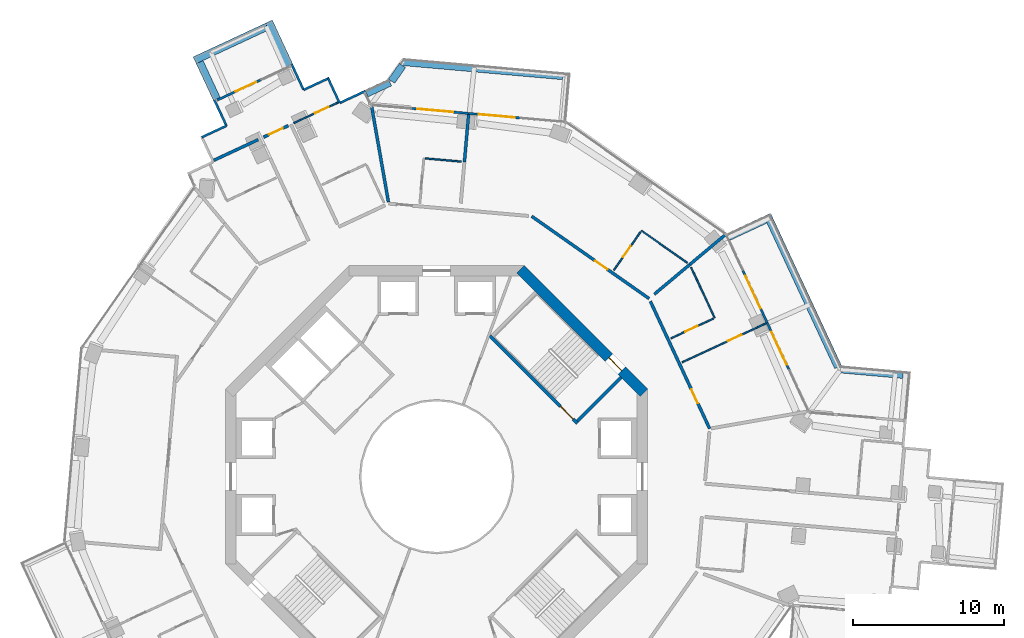
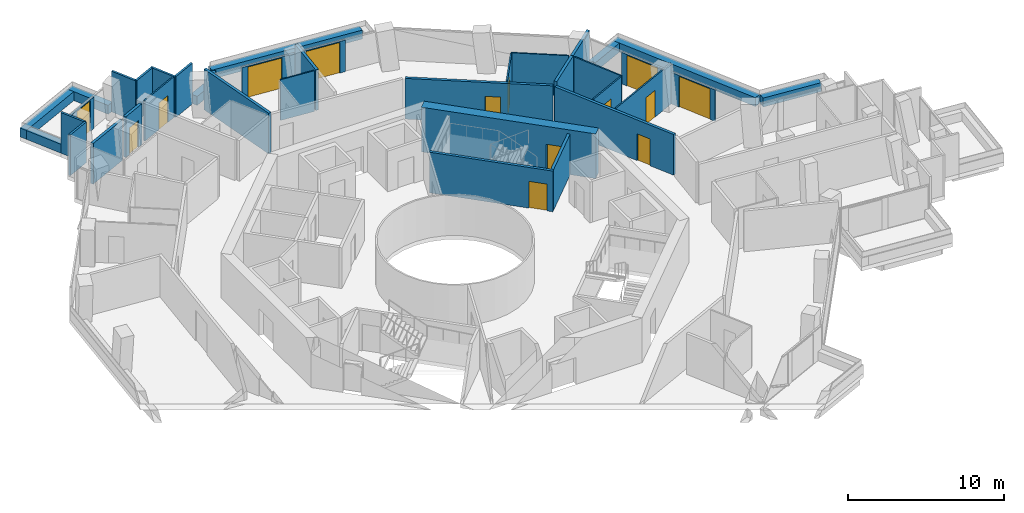
# One storey, part 19 of 23: 38 walls, 14 doors, 14 openings.
"""IFC4 building model written with IfcOpenShell, lengths in metres."""

from ifc_helpers import new_model, si_unit, direction, frame, frame_2d, origin, place, context, subcontext, project, spatial, rectangle, extrude, material, layer, layer_set, type_object, element, fill, save


model = new_model("IFC4")

# Units and contexts
model_context = context("Model", 3, precision=1e-05, world=origin(), true_north=direction((0.0, 1.0)))
body_context = subcontext(model_context, "Body", "Model", "MODEL_VIEW")
ifc_project = project(units=[si_unit("LENGTHUNIT", "METRE"), si_unit("AREAUNIT", "SQUARE_METRE"), si_unit("VOLUMEUNIT", "CUBIC_METRE"), si_unit("PLANEANGLEUNIT", "RADIAN"), si_unit("MASSUNIT", "GRAM", prefix="KILO")], contexts=[model_context])

# Site, building, storey
site_placement = place(None, origin())
site = spatial("IfcSite", under=ifc_project, at=site_placement, CompositionType="ELEMENT")
building_placement = place(site_placement, origin())
building = spatial("IfcBuilding", under=site, at=building_placement, Name="Verdalira Terraces Hotel", CompositionType="ELEMENT")
storey_placement = place(building_placement, frame((0.0, 0.0, 136.5)))
storey = spatial("IfcBuildingStorey", under=building, at=storey_placement, Name="L32", CompositionType="ELEMENT", Elevation=136.5)

# Walls
ifc_material_1 = material(Name="Concrete C40", Category="concrete")
ifc_layer_1 = layer(ifc_material_1, 0.5)
ifc_layer_set_1 = layer_set([ifc_layer_1], Name="Balcony planter trough with tree")
wall_type_1 = type_object("IfcWallType", Name="Balcony planter trough with tree", PredefinedType="SOLIDWALL", material=ifc_layer_set_1)
wall_1_placement = place(storey_placement, frame((-9.775635, 27.282227, 0.0), z_axis=(0.0, 0.0, 1.0), x_axis=(-0.42203715, 0.906578537, 0.0)))
element("IfcWall", 1, at=wall_1_placement, inside=storey, type_object=wall_type_1, Name="Balcony planter", PredefinedType="SOLIDWALL", context=body_context, shape_type="SweptSolid", body=[
    extrude(rectangle(XDim=3.198975, YDim=0.5, at=frame_2d((1.599609, 0.0))), origin(), (0.0, 0.0, 1.0), 0.699951),
])
wall_2_placement = place(storey_placement, frame((-11.246826, 29.850342, 0.0), z_axis=(0.0, 0.0, 1.0), x_axis=(-0.90659695, -0.421997595, 0.0)))
element("IfcWall", 2, at=wall_2_placement, inside=storey, type_object=wall_type_1, Name="Balcony planter", PredefinedType="SOLIDWALL", context=body_context, shape_type="SweptSolid", body=[
    extrude(rectangle(XDim=5.300049, YDim=0.5, at=frame_2d((2.649902, 0.0))), origin(), (0.0, 0.0, 1.0), 0.699951),
])
wall_3_placement = place(storey_placement, frame((-15.719727, 27.492676, 0.0), z_axis=(0.0, 0.0, 1.0), x_axis=(0.421964209, -0.90661249, 0.0)))
element("IfcWall", 3, at=wall_3_placement, inside=storey, type_object=wall_type_1, Name="Balcony planter", PredefinedType="SOLIDWALL", context=body_context, shape_type="SweptSolid", body=[
    extrude(rectangle(XDim=2.698975, YDim=0.5, at=frame_2d((1.349609, 0.0))), origin(), (0.0, 0.0, 1.0), 0.699951),
])
wall_4_placement = place(storey_placement, frame((30.935303, 6.758545, 0.0), z_axis=(0.0, 0.0, 1.0), x_axis=(-0.996134126, 0.08784534, 0.0)))
element("IfcWall", 4, at=wall_4_placement, inside=storey, type_object=wall_type_1, Name="Balcony planter", PredefinedType="SOLIDWALL", context=body_context, shape_type="SweptSolid", body=[
    extrude(rectangle(XDim=4.115967, YDim=0.5, at=frame_2d((2.058105, 0.0))), origin(), (0.0, 0.0, 1.0), 0.699951),
])
wall_5_placement = place(storey_placement, frame((26.630371, 7.263672, 0.0), z_axis=(0.0, 0.0, 1.0), x_axis=(-0.421976843, 0.906606609, 0.0)))
element("IfcWall", 5, at=wall_5_placement, inside=storey, type_object=wall_type_1, Name="Balcony planter", PredefinedType="SOLIDWALL", context=body_context, shape_type="SweptSolid", body=[
    extrude(rectangle(XDim=11.152344, YDim=0.5, at=frame_2d((5.576172, 0.0))), origin(), (0.0, 0.0, 1.0), 0.699951),
])
wall_6_placement = place(storey_placement, frame((21.802979, 17.042236, 0.0), z_axis=(0.0, 0.0, 1.0), x_axis=(-0.906596382, -0.421998815, 0.0)))
element("IfcWall", 6, at=wall_6_placement, inside=storey, type_object=wall_type_1, Name="Balcony planter", PredefinedType="SOLIDWALL", context=body_context, shape_type="SweptSolid", body=[
    extrude(rectangle(XDim=2.698975, YDim=0.5, at=frame_2d((1.349609, 0.0))), origin(), (0.0, 0.0, 1.0), 0.699951),
])
wall_7_placement = place(storey_placement, frame((8.367188, 26.575928, 0.0), z_axis=(0.0, 0.0, 1.0), x_axis=(-0.996131974, 0.087869731, 0.0)))
element("IfcWall", 7, at=wall_7_placement, inside=storey, type_object=wall_type_1, Name="Balcony planter", PredefinedType="SOLIDWALL", context=body_context, shape_type="SweptSolid", body=[
    extrude(rectangle(XDim=10.652588, YDim=0.5, at=frame_2d((5.326172, 0.0))), origin(), (0.0, 0.0, 1.0), 0.699951),
])
wall_8_placement = place(storey_placement, frame((-2.266113, 27.262939, 0.0), z_axis=(0.0, 0.0, 1.0), x_axis=(-0.574098281, -0.818786397, 0.0)))
element("IfcWall", 8, at=wall_8_placement, inside=storey, type_object=wall_type_1, Name="Balcony planter", PredefinedType="SOLIDWALL", context=body_context, shape_type="SweptSolid", body=[
    extrude(rectangle(XDim=1.262207, YDim=0.5, at=frame_2d((0.631104, 0.0))), origin(), (0.0, 0.0, 1.0), 0.699951),
])
wall_9_placement = place(storey_placement, frame((-3.089844, 26.146484, 0.0), z_axis=(0.0, 0.0, 1.0), x_axis=(-0.906625779, -0.421935656, 0.0)))
element("IfcWall", 9, at=wall_9_placement, inside=storey, type_object=wall_type_1, Name="Balcony planter", PredefinedType="SOLIDWALL", context=body_context, shape_type="SweptSolid", body=[
    extrude(rectangle(XDim=1.731201, YDim=0.5, at=frame_2d((0.865723, 0.0))), origin(), (0.0, 0.0, 1.0), 0.699951),
])

# Wall, opening, door
ifc_material_2 = material(Name="Moisture-resistant gypsum board partition")
ifc_layer_2 = layer(ifc_material_2, 0.10009765625)
ifc_layer_set_2 = layer_set([ifc_layer_2], Name="Bathroom partition 100 mm")
wall_type_2 = type_object("IfcWallType", Name="Bathroom partition 100 mm", PredefinedType="PARTITIONING", material=ifc_layer_set_2)
wall_10_placement = place(storey_placement, frame((-6.531738, 24.820068, 0.0), z_axis=(0.0, 0.0, 1.0), x_axis=(-0.906598898, -0.421993409, 0.0)))
wall_10 = element("IfcWall", 10, at=wall_10_placement, inside=storey, type_object=wall_type_2, Name="Bathroom partition", PredefinedType="PARTITIONING", context=body_context, shape_type="SweptSolid", body=[
    extrude(rectangle(XDim=3.251953, YDim=0.100098, at=frame_2d((1.625977, 0.0))), origin(), (0.0, 0.0, 1.0), 3.189941),
])
opening_1_placement = place(wall_10_placement, frame((0.699951, 0.0, 0.0)))
opening_1 = element("IfcOpeningElement", 11, at=opening_1_placement, cuts=wall_10, Name="Opening L32-102", PredefinedType="OPENING", context=body_context, shape_type="SweptSolid", body=[
    extrude(rectangle(XDim=1.0, YDim=2.100098, at=frame_2d((0.5, 1.050049))), frame((0.0, 0.060059, 0.0), z_axis=(0.0, -1.0, 0.0), x_axis=(1.0, 0.0, 0.0)), (0.0, 0.0, 1.0), 0.120117),
])
ifc_material_3 = material(Name="Timber door", Category="wood")
door_type_1 = type_object("IfcDoorType", Name="Suite internal door 1000 x 2100", OperationType="NOTDEFINED", PredefinedType="DOOR", material=ifc_material_3)
door_1_placement = place(opening_1_placement, origin())
door_1 = element("IfcDoor", 12, at=door_1_placement, inside=storey, type_object=door_type_1, Name="Suite internal door 3201", OperationType="SINGLE_SWING_LEFT", OverallHeight=2.10009765625, OverallWidth=1.0, PredefinedType="DOOR", context=body_context, shape_type="SweptSolid", body=[
    extrude(rectangle(XDim=1.0, YDim=2.100098, at=frame_2d((0.5, 1.050049))), frame((0.0, 0.024902, 0.0), z_axis=(0.0, -1.0, 0.0), x_axis=(1.0, 0.0, 0.0)), (0.0, 0.0, 1.0), 0.050049),
])
fill(opening_1, door_1)

# Wall
wall_11_placement = place(storey_placement, frame((-0.748779, 21.105713, 0.0), z_axis=(0.0, 0.0, 1.0), x_axis=(0.996139536, -0.08778397, 0.0)))
element("IfcWall", 13, at=wall_11_placement, inside=storey, type_object=wall_type_2, Name="Bathroom partition", PredefinedType="PARTITIONING", context=body_context, shape_type="SweptSolid", body=[
    extrude(rectangle(XDim=2.400146, YDim=0.100098, at=frame_2d((1.200195, 0.0))), origin(), (0.0, 0.0, 1.0), 3.189941),
])

# Wall, opening, door
wall_12_placement = place(storey_placement, frame((13.530273, 16.231934, 0.0), z_axis=(0.0, 0.0, 1.0), x_axis=(-0.574138719, -0.818758042, 0.0)))
wall_12 = element("IfcWall", 14, at=wall_12_placement, inside=storey, type_object=wall_type_2, Name="Bathroom partition", PredefinedType="PARTITIONING", context=body_context, shape_type="SweptSolid", body=[
    extrude(rectangle(XDim=3.099854, YDim=0.100098, at=frame_2d((1.549805, 0.0))), origin(), (0.0, 0.0, 1.0), 3.189941),
])
opening_2_placement = place(wall_12_placement, frame((1.149902, 0.0, 0.0)))
opening_2 = element("IfcOpeningElement", 15, at=opening_2_placement, cuts=wall_12, Name="Opening L32-130", PredefinedType="OPENING", context=body_context, shape_type="SweptSolid", body=[
    extrude(rectangle(XDim=0.899902, YDim=2.100098, at=frame_2d((0.449951, 1.050049))), frame((0.0, 0.060059, 0.0), z_axis=(0.0, -1.0, 0.0), x_axis=(1.0, 0.0, 0.0)), (0.0, 0.0, 1.0), 0.120117),
])
ifc_material_4 = material(Name="Timber door", Category="wood")
door_type_2 = type_object("IfcDoorType", Name="Bathroom door 900 x 2100", OperationType="NOTDEFINED", PredefinedType="DOOR", material=ifc_material_4)
door_2_placement = place(opening_2_placement, origin())
door_2 = element("IfcDoor", 16, at=door_2_placement, inside=storey, type_object=door_type_2, Name="Bathroom door 3211", OperationType="SINGLE_SWING_LEFT", OverallHeight=2.10009765625, OverallWidth=0.89990234375, PredefinedType="DOOR", context=body_context, shape_type="SweptSolid", body=[
    extrude(rectangle(XDim=0.899902, YDim=2.100098, at=frame_2d((0.449951, 1.050049))), frame((0.0, 0.024902, 0.0), z_axis=(0.0, -1.0, 0.0), x_axis=(1.0, 0.0, 0.0)), (0.0, 0.0, 1.0), 0.050049),
])
fill(opening_2, door_2)

# Wall
wall_13_placement = place(storey_placement, frame((13.587646, 16.313965, 0.0), z_axis=(0.0, 0.0, 1.0), x_axis=(0.818743323, -0.574159708, 0.0)))
element("IfcWall", 17, at=wall_13_placement, inside=storey, type_object=wall_type_2, Name="Bathroom partition", PredefinedType="PARTITIONING", context=body_context, shape_type="SweptSolid", body=[
    extrude(rectangle(XDim=3.711182, YDim=0.100098, at=frame_2d((1.855469, 0.0))), origin(), (0.0, 0.0, 1.0), 3.189941),
])

# Wall, opening, door
wall_14_placement = place(storey_placement, frame((15.539062, 9.172363, 0.0), z_axis=(0.0, 0.0, 1.0), x_axis=(0.906613229, 0.42196262, 0.0)))
wall_14 = element("IfcWall", 18, at=wall_14_placement, inside=storey, type_object=wall_type_2, Name="Bathroom partition", PredefinedType="PARTITIONING", context=body_context, shape_type="SweptSolid", body=[
    extrude(rectangle(XDim=3.100098, YDim=0.100098, at=frame_2d((1.550049, 0.0))), origin(), (0.0, 0.0, 1.0), 3.189941),
])
opening_3_placement = place(wall_14_placement, frame((1.050049, 0.0, 0.0)))
opening_3 = element("IfcOpeningElement", 19, at=opening_3_placement, cuts=wall_14, Name="Opening L32-128", PredefinedType="OPENING", context=body_context, shape_type="SweptSolid", body=[
    extrude(rectangle(XDim=0.899902, YDim=2.100098, at=frame_2d((0.449951, 1.050049))), frame((0.0, 0.060059, 0.0), z_axis=(0.0, -1.0, 0.0), x_axis=(1.0, 0.0, 0.0)), (0.0, 0.0, 1.0), 0.120117),
])
door_3_placement = place(opening_3_placement, origin())
door_3 = element("IfcDoor", 20, at=door_3_placement, inside=storey, type_object=door_type_2, Name="Bathroom door 3210", OperationType="SINGLE_SWING_RIGHT", OverallHeight=2.10009765625, OverallWidth=0.89990234375, PredefinedType="DOOR", context=body_context, shape_type="SweptSolid", body=[
    extrude(rectangle(XDim=0.899902, YDim=2.100098, at=frame_2d((0.449951, 1.050049))), frame((0.0, 0.024902, 0.0), z_axis=(0.0, -1.0, 0.0), x_axis=(1.0, 0.0, 0.0)), (0.0, 0.0, 1.0), 0.050049),
])
fill(opening_3, door_3)

# Wall
wall_15_placement = place(storey_placement, frame((18.440186, 10.522705, 0.0), z_axis=(0.0, 0.0, 1.0), x_axis=(-0.421990349, 0.906600323, 0.0)))
element("IfcWall", 21, at=wall_15_placement, inside=storey, type_object=wall_type_2, Name="Bathroom partition", PredefinedType="PARTITIONING", context=body_context, shape_type="SweptSolid", body=[
    extrude(rectangle(XDim=3.703857, YDim=0.100098, at=frame_2d((1.852051, 0.0))), origin(), (0.0, 0.0, 1.0), 3.189941),
])

# Wall, opening, door
wall_16_placement = place(storey_placement, frame((16.281006, 7.578125, 0.0), z_axis=(0.0, 0.0, 1.0), x_axis=(0.90660458, 0.421981202, 0.0)))
wall_16 = element("IfcWall", 22, at=wall_16_placement, inside=storey, type_object=wall_type_2, Name="Bathroom partition", PredefinedType="PARTITIONING", context=body_context, shape_type="SweptSolid", body=[
    extrude(rectangle(XDim=6.150146, YDim=0.100098, at=frame_2d((3.075195, 0.0))), origin(), (0.0, 0.0, 1.0), 3.189941),
])
opening_4_placement = place(wall_16_placement, frame((3.350098, 0.0, 0.0)))
opening_4 = element("IfcOpeningElement", 23, at=opening_4_placement, cuts=wall_16, Name="Opening L32-127", PredefinedType="OPENING", context=body_context, shape_type="SweptSolid", body=[
    extrude(rectangle(XDim=1.0, YDim=2.100098, at=frame_2d((0.5, 1.050049))), frame((0.0, 0.060059, 0.0), z_axis=(0.0, -1.0, 0.0), x_axis=(1.0, 0.0, 0.0)), (0.0, 0.0, 1.0), 0.120117),
])
door_4_placement = place(opening_4_placement, origin())
door_4 = element("IfcDoor", 24, at=door_4_placement, inside=storey, type_object=door_type_1, Name="Suite internal door 3210", OperationType="SINGLE_SWING_LEFT", OverallHeight=2.10009765625, OverallWidth=1.0, PredefinedType="DOOR", context=body_context, shape_type="SweptSolid", body=[
    extrude(rectangle(XDim=1.0, YDim=2.100098, at=frame_2d((0.5, 1.050049))), frame((0.0, 0.024902, 0.0), z_axis=(0.0, -1.0, 0.0), x_axis=(1.0, 0.0, 0.0)), (0.0, 0.0, 1.0), 0.050049),
])
fill(opening_4, door_4)

ifc_material_5 = material(Name="Concrete C50", Category="concrete")
ifc_layer_3 = layer(ifc_material_5, 0.199951171875)
ifc_layer_set_3 = layer_set([ifc_layer_3], Name="Core RC wall 200 C50")
wall_type_3 = type_object("IfcWallType", Name="Core RC wall 200 C50", PredefinedType="SOLIDWALL", material=ifc_layer_set_3)
wall_17_placement = place(storey_placement, frame((3.5354, 9.33374, 0.0), z_axis=(0.0, 0.0, 1.0), x_axis=(0.707106781, -0.707106781, 0.0)))
wall_17 = element("IfcWall", 25, at=wall_17_placement, inside=storey, type_object=wall_type_3, Name="L32 stair ST1 front wall", PredefinedType="SOLIDWALL", context=body_context, shape_type="SweptSolid", body=[
    extrude(rectangle(XDim=8.200195, YDim=0.199951, at=frame_2d((4.100098, 0.0))), origin(), (0.0, 0.0, 1.0), 3.189941),
])
opening_5_placement = place(wall_17_placement, frame((6.600098, 0.0, 0.0)))
opening_5 = element("IfcOpeningElement", 26, at=opening_5_placement, cuts=wall_17, Name="Opening L32-809", PredefinedType="OPENING", context=body_context, shape_type="SweptSolid", body=[
    extrude(rectangle(XDim=1.199951, YDim=2.100098, at=frame_2d((0.600098, 1.050049))), frame((0.0, 0.109863, 0.0), z_axis=(0.0, -1.0, 0.0), x_axis=(1.0, 0.0, 0.0)), (0.0, 0.0, 1.0), 0.219971),
])
ifc_material_6 = material(Name="Steel fire door", Category="steel")
door_type_3 = type_object("IfcDoorType", Name="Stair door 1200 x 2100", OperationType="NOTDEFINED", PredefinedType="DOOR", material=ifc_material_6)
door_5_placement = place(opening_5_placement, origin())
door_5 = element("IfcDoor", 27, at=door_5_placement, inside=storey, type_object=door_type_3, Name="Stair door ST1 L32", OperationType="SINGLE_SWING_RIGHT", OverallHeight=2.10009765625, OverallWidth=1.199951171875, PredefinedType="DOOR", context=body_context, shape_type="SweptSolid", body=[
    extrude(rectangle(XDim=1.199951, YDim=2.100098, at=frame_2d((0.600098, 1.050049))), frame((0.0, 0.024902, 0.0), z_axis=(0.0, -1.0, 0.0), x_axis=(1.0, 0.0, 0.0)), (0.0, 0.0, 1.0), 0.050049),
])
fill(opening_5, door_5)

# Wall
wall_18_placement = place(storey_placement, frame((9.33374, 3.677002, 0.0), z_axis=(0.0, 0.0, 1.0), x_axis=(0.707106781, 0.707106781, 0.0)))
element("IfcWall", 28, at=wall_18_placement, inside=storey, type_object=wall_type_3, Name="L32 stair ST1 end wall 1", PredefinedType="SOLIDWALL", context=body_context, shape_type="SweptSolid", body=[
    extrude(rectangle(XDim=4.100098, YDim=0.199951, at=frame_2d((2.050049, 0.0))), origin(), (0.0, 0.0, 1.0), 3.189941),
])

# Wall, opening, door
ifc_material_7 = material(Name="Concrete C60", Category="concrete")
ifc_layer_4 = layer(ifc_material_7, 0.699951171875)
ifc_layer_set_4 = layer_set([ifc_layer_4], Name="Core wall 700 C60")
wall_type_4 = type_object("IfcWallType", Name="Core wall 700 C60", PredefinedType="SHEAR", material=ifc_layer_set_4)
wall_19_placement = place(storey_placement, frame((13.752441, 5.551514, 0.0), z_axis=(0.0, 0.0, 1.0), x_axis=(-0.707106781, 0.707106781, 0.0)))
wall_19 = element("IfcWall", 29, at=wall_19_placement, inside=storey, type_object=wall_type_4, Name="Core wall CW-L32-2", PredefinedType="SHEAR", context=body_context, shape_type="SweptSolid", body=[
    extrude(rectangle(XDim=11.5979, YDim=0.699951, at=frame_2d((5.798828, 0.0))), origin(), (0.0, 0.0, 1.0), 3.5),
])
opening_6_placement = place(wall_19_placement, frame((2.099121, 0.0, 0.0)))
opening_6 = element("IfcOpeningElement", 30, at=opening_6_placement, cuts=wall_19, Name="Opening L32-816", PredefinedType="OPENING", context=body_context, shape_type="SweptSolid", body=[
    extrude(rectangle(XDim=1.199951, YDim=2.100098, at=frame_2d((0.600098, 1.050049))), frame((0.0, 0.359863, 0.0), z_axis=(0.0, -1.0, 0.0), x_axis=(1.0, 0.0, 0.0)), (0.0, 0.0, 1.0), 0.719971),
])
door_6_placement = place(opening_6_placement, origin())
door_6 = element("IfcDoor", 31, at=door_6_placement, inside=storey, type_object=door_type_3, Name="Stair exit door ST1 L32", OperationType="SINGLE_SWING_LEFT", OverallHeight=2.10009765625, OverallWidth=1.199951171875, PredefinedType="DOOR", context=body_context, shape_type="SweptSolid", body=[
    extrude(rectangle(XDim=1.199951, YDim=2.100098, at=frame_2d((0.600098, 1.050049))), frame((0.0, 0.024902, 0.0), z_axis=(0.0, -1.0, 0.0), x_axis=(1.0, 0.0, 0.0)), (0.0, 0.0, 1.0), 0.050049),
])
fill(opening_6, door_6)

# Walls
ifc_material_8 = material(Name="Fire-rated gypsum board wall")
ifc_layer_5 = layer(ifc_material_8, 0.199951171875)
ifc_layer_set_5 = layer_set([ifc_layer_5], Name="Demising wall 200 mm")
wall_type_5 = type_object("IfcWallType", Name="Demising wall 200 mm", PredefinedType="SOLIDWALL", material=ifc_layer_set_5)
wall_20_placement = place(storey_placement, frame((-11.835449, 22.351562, 0.0), z_axis=(0.0, 0.0, 1.0), x_axis=(-0.906598898, -0.421993409, 0.0)))
element("IfcWall", 32, at=wall_20_placement, inside=storey, type_object=wall_type_5, Name="Demising wall", PredefinedType="SOLIDWALL", context=body_context, shape_type="SweptSolid", body=[
    extrude(rectangle(XDim=3.251953, YDim=0.199951, at=frame_2d((1.625977, 0.0))), origin(), (0.0, 0.0, 1.0), 3.189941),
])
wall_21_placement = place(storey_placement, frame((-4.317871, 24.587891, 0.0), z_axis=(0.0, 0.0, 1.0), x_axis=(0.172970158, -0.984927066, 0.0)))
element("IfcWall", 33, at=wall_21_placement, inside=storey, type_object=wall_type_5, Name="Demising wall", PredefinedType="SOLIDWALL", context=body_context, shape_type="SweptSolid", body=[
    extrude(rectangle(XDim=6.47583, YDim=0.199951, at=frame_2d((3.237793, 0.0))), origin(), (0.0, 0.0, 1.0), 3.189941),
])
wall_22_placement = place(storey_placement, frame((1.841064, 20.875244, 0.0), z_axis=(0.0, 0.0, 1.0), x_axis=(0.087832778, 0.996135233, 0.0)))
element("IfcWall", 34, at=wall_22_placement, inside=storey, type_object=wall_type_5, Name="Demising wall", PredefinedType="SOLIDWALL", context=body_context, shape_type="SweptSolid", body=[
    extrude(rectangle(XDim=3.1521, YDim=0.199951, at=frame_2d((1.576172, 0.0))), origin(), (0.0, 0.0, 1.0), 3.189941),
])
wall_23_placement = place(storey_placement, frame((14.43457, 12.094971, 0.0), z_axis=(0.0, 0.0, 1.0), x_axis=(0.766505681, 0.642237527, 0.0)))
element("IfcWall", 35, at=wall_23_placement, inside=storey, type_object=wall_type_5, Name="Demising wall", PredefinedType="SOLIDWALL", context=body_context, shape_type="SweptSolid", body=[
    extrude(rectangle(XDim=3.072754, YDim=0.199951, at=frame_2d((1.536377, 0.0))), origin(), (0.0, 0.0, 1.0), 3.189941),
])
wall_24_placement = place(storey_placement, frame((16.789795, 14.068359, 0.0), z_axis=(0.0, 0.0, 1.0), x_axis=(0.766498184, 0.642246474, 0.0)))
element("IfcWall", 36, at=wall_24_placement, inside=storey, type_object=wall_type_5, Name="Demising wall", PredefinedType="SOLIDWALL", context=body_context, shape_type="SweptSolid", body=[
    extrude(rectangle(XDim=3.059326, YDim=0.199951, at=frame_2d((1.529785, 0.0))), origin(), (0.0, 0.0, 1.0), 3.189941),
])

# Wall, opening, door
ifc_material_9 = material(Name="Fire-rated gypsum board wall")
ifc_layer_6 = layer(ifc_material_9, 0.199951171875)
ifc_layer_set_6 = layer_set([ifc_layer_6], Name="Guest corridor wall 200 mm")
wall_type_6 = type_object("IfcWallType", Name="Guest corridor wall 200 mm", PredefinedType="SOLIDWALL", material=ifc_layer_set_6)
wall_25_placement = place(storey_placement, frame((-11.476318, 22.518555, 0.0), z_axis=(0.0, 0.0, 1.0), x_axis=(0.906570442, 0.42205454, 0.0)))
wall_25 = element("IfcWall", 37, at=wall_25_placement, inside=storey, type_object=wall_type_6, Name="Guest corridor wall", PredefinedType="SOLIDWALL", context=body_context, shape_type="SweptSolid", body=[
    extrude(rectangle(XDim=1.802002, YDim=0.199951, at=frame_2d((0.900879, 0.0))), origin(), (0.0, 0.0, 1.0), 3.189941),
])
opening_7_placement = place(wall_25_placement, frame((0.399902, 0.0, 0.0)))
opening_7 = element("IfcOpeningElement", 38, at=opening_7_placement, cuts=wall_25, Name="Opening L32-101", PredefinedType="OPENING", context=body_context, shape_type="SweptSolid", body=[
    extrude(rectangle(XDim=1.0, YDim=2.100098, at=frame_2d((0.5, 1.050049))), frame((0.0, 0.109863, 0.0), z_axis=(0.0, -1.0, 0.0), x_axis=(1.0, 0.0, 0.0)), (0.0, 0.0, 1.0), 0.219971),
])
ifc_material_10 = material(Name="Timber fire door", Category="wood")
door_type_4 = type_object("IfcDoorType", Name="Guest entry door 1000 x 2100", OperationType="NOTDEFINED", PredefinedType="DOOR", material=ifc_material_10)
door_7_placement = place(opening_7_placement, origin())
door_7 = element("IfcDoor", 39, at=door_7_placement, inside=storey, type_object=door_type_4, Name="Guest entry door 3201", OperationType="SINGLE_SWING_LEFT", OverallHeight=2.10009765625, OverallWidth=1.0, PredefinedType="DOOR", context=body_context, shape_type="SweptSolid", body=[
    extrude(rectangle(XDim=1.0, YDim=2.100098, at=frame_2d((0.5, 1.050049))), frame((0.0, 0.024902, 0.0), z_axis=(0.0, -1.0, 0.0), x_axis=(1.0, 0.0, 0.0)), (0.0, 0.0, 1.0), 0.050049),
])
fill(opening_7, door_7)

wall_26_placement = place(storey_placement, frame((6.300537, 17.27124, 0.0), z_axis=(0.0, 0.0, 1.0), x_axis=(0.818750717, -0.574149165, 0.0)))
wall_26 = element("IfcWall", 40, at=wall_26_placement, inside=storey, type_object=wall_type_6, Name="Guest corridor wall", PredefinedType="SOLIDWALL", context=body_context, shape_type="SweptSolid", body=[
    extrude(rectangle(XDim=9.516113, YDim=0.199951, at=frame_2d((4.758057, 0.0))), origin(), (0.0, 0.0, 1.0), 3.189941),
])
opening_8_placement = place(wall_26_placement, frame((5.149902, 0.0, 0.0)))
opening_8 = element("IfcOpeningElement", 41, at=opening_8_placement, cuts=wall_26, Name="Opening L32-129", PredefinedType="OPENING", context=body_context, shape_type="SweptSolid", body=[
    extrude(rectangle(XDim=1.0, YDim=2.100098, at=frame_2d((0.5, 1.050049))), frame((0.0, 0.109863, 0.0), z_axis=(0.0, -1.0, 0.0), x_axis=(1.0, 0.0, 0.0)), (0.0, 0.0, 1.0), 0.219971),
])
door_8_placement = place(opening_8_placement, origin())
door_8 = element("IfcDoor", 42, at=door_8_placement, inside=storey, type_object=door_type_4, Name="Guest entry door 3211", OperationType="SINGLE_SWING_LEFT", OverallHeight=2.10009765625, OverallWidth=1.0, PredefinedType="DOOR", context=body_context, shape_type="SweptSolid", body=[
    extrude(rectangle(XDim=1.0, YDim=2.100098, at=frame_2d((0.5, 1.050049))), frame((0.0, 0.024902, 0.0), z_axis=(0.0, -1.0, 0.0), x_axis=(1.0, 0.0, 0.0)), (0.0, 0.0, 1.0), 0.050049),
])
fill(opening_8, door_8)

wall_27_placement = place(storey_placement, frame((14.17627, 11.626465, 0.0), z_axis=(0.0, 0.0, 1.0), x_axis=(0.421965711, -0.906611791, 0.0)))
wall_27 = element("IfcWall", 43, at=wall_27_placement, inside=storey, type_object=wall_type_6, Name="Guest corridor wall", PredefinedType="SOLIDWALL", context=body_context, shape_type="SweptSolid", body=[
    extrude(rectangle(XDim=9.316895, YDim=0.199951, at=frame_2d((4.658447, 0.0))), origin(), (0.0, 0.0, 1.0), 3.189941),
])
opening_9_placement = place(wall_27_placement, frame((6.458252, 0.0, 0.0)))
opening_9 = element("IfcOpeningElement", 44, at=opening_9_placement, cuts=wall_27, Name="Opening L32-126", PredefinedType="OPENING", context=body_context, shape_type="SweptSolid", body=[
    extrude(rectangle(XDim=1.0, YDim=2.100098, at=frame_2d((0.5, 1.050049))), frame((0.0, 0.109863, 0.0), z_axis=(0.0, -1.0, 0.0), x_axis=(1.0, 0.0, 0.0)), (0.0, 0.0, 1.0), 0.219971),
])
door_9_placement = place(opening_9_placement, origin())
door_9 = element("IfcDoor", 45, at=door_9_placement, inside=storey, type_object=door_type_4, Name="Guest entry door 3210", OperationType="SINGLE_SWING_LEFT", OverallHeight=2.10009765625, OverallWidth=1.0, PredefinedType="DOOR", context=body_context, shape_type="SweptSolid", body=[
    extrude(rectangle(XDim=1.0, YDim=2.100098, at=frame_2d((0.5, 1.050049))), frame((0.0, 0.024902, 0.0), z_axis=(0.0, -1.0, 0.0), x_axis=(1.0, 0.0, 0.0)), (0.0, 0.0, 1.0), 0.050049),
])
fill(opening_9, door_9)

# Walls
ifc_material_11 = material(Name="Terracotta cladding", Category="masonry")
ifc_layer_7 = layer(ifc_material_11, 0.14990234375)
ifc_layer_set_7 = layer_set([ifc_layer_7], Name="Terracotta clad wall 150")
wall_type_7 = type_object("IfcWallType", Name="Terracotta clad wall 150", PredefinedType="SOLIDWALL", material=ifc_layer_set_7)
wall_28_placement = place(storey_placement, frame((-4.734131, 25.574219, 0.0), z_axis=(0.0, 0.0, 1.0), x_axis=(-0.906601815, -0.421987144, 0.0)))
element("IfcWall", 46, at=wall_28_placement, inside=storey, type_object=wall_type_7, Name="Terracotta cladding wall", PredefinedType="SOLIDWALL", context=body_context, shape_type="SweptSolid", body=[
    extrude(rectangle(XDim=1.875, YDim=0.149902, at=frame_2d((0.9375, 0.0))), origin(), (0.0, 0.0, 1.0), 3.189941),
])
wall_29_placement = place(storey_placement, frame((-6.434082, 24.782959, 0.0), z_axis=(0.0, 0.0, 1.0), x_axis=(-0.421971917, 0.906608902, 0.0)))
element("IfcWall", 47, at=wall_29_placement, inside=storey, type_object=wall_type_7, Name="Terracotta cladding wall", PredefinedType="SOLIDWALL", context=body_context, shape_type="SweptSolid", body=[
    extrude(rectangle(XDim=1.800049, YDim=0.149902, at=frame_2d((0.899902, 0.0))), origin(), (0.0, 0.0, 1.0), 3.189941),
])
for number, where, z_axis, x_axis, name in (
    (48, (-7.125488, 26.446533, 0.0), (0.0, 0.0, 1.0), (-0.906601815, -0.421987144, 0.0), "Terracotta cladding wall"),
    (49, (-8.825439, 25.655273, 0.0), (0.0, 0.0, 1.0), (-0.421987144, 0.906601815, 0.0), "Terracotta cladding wall"),
    (50, (-14.739014, 24.970947, 0.0), (0.0, 0.0, 1.0), (0.421987144, -0.906601815, 0.0), "Terracotta cladding wall"),
):
    element("IfcWall", number, at=place(storey_placement, frame(where, z_axis=z_axis, x_axis=x_axis)), inside=storey, type_object=wall_type_7, Name=name, PredefinedType="SOLIDWALL", context=body_context, shape_type="SweptSolid", body=[
        extrude(rectangle(XDim=1.875, YDim=0.149902, at=frame_2d((0.9375, 0.0))), origin(), (0.0, 0.0, 1.0), 3.189941),
    ])
wall_30_placement = place(storey_placement, frame((-13.947754, 23.270996, 0.0), z_axis=(0.0, 0.0, 1.0), x_axis=(-0.906608902, -0.421971917, 0.0)))
element("IfcWall", 51, at=wall_30_placement, inside=storey, type_object=wall_type_7, Name="Terracotta cladding wall", PredefinedType="SOLIDWALL", context=body_context, shape_type="SweptSolid", body=[
    extrude(rectangle(XDim=1.800049, YDim=0.149902, at=frame_2d((0.899902, 0.0))), origin(), (0.0, 0.0, 1.0), 3.189941),
])

# Wall, opening, door
ifc_material_12 = material(Name="Terracotta cladding", Category="masonry")
ifc_layer_8 = layer(ifc_material_12, 0.14990234375)
ifc_layer_set_8 = layer_set([ifc_layer_8], Name="Terracotta door pier 150")
wall_type_8 = type_object("IfcWallType", Name="Terracotta door pier 150", PredefinedType="SOLIDWALL", material=ifc_layer_set_8)
wall_31_placement = place(storey_placement, frame((-11.611328, 26.343994, 0.0), z_axis=(0.0, 0.0, 1.0), x_axis=(-0.906597869, -0.421995621, 0.0)))
wall_31 = element("IfcWall", 52, at=wall_31_placement, inside=storey, type_object=wall_type_8, Name="Terracotta door pier", PredefinedType="SOLIDWALL", context=body_context, shape_type="SweptSolid", body=[
    extrude(rectangle(XDim=3.26001, YDim=0.149902, at=frame_2d((1.629883, 0.0))), origin(), (0.0, 0.0, 1.0), 2.475098),
])
opening_10_placement = place(wall_31_placement, frame((0.399902, 0.0, 0.0)))
opening_10 = element("IfcOpeningElement", 53, at=opening_10_placement, cuts=wall_31, Name="Opening L32-B01", PredefinedType="OPENING", context=body_context, shape_type="SweptSolid", body=[
    extrude(rectangle(XDim=1.5, YDim=2.399902, at=frame_2d((0.75, 1.199951))), frame((0.0, 0.084961, 0.0), z_axis=(0.0, -1.0, 0.0), x_axis=(1.0, 0.0, 0.0)), (0.0, 0.0, 1.0), 0.169922),
])
ifc_material_13 = material(Name="Clear glass", Category="glass")
door_type_5 = type_object("IfcDoorType", Name="Balcony sliding door 1500x2400", OperationType="NOTDEFINED", PredefinedType="DOOR", material=ifc_material_13)
door_10_placement = place(opening_10_placement, origin())
door_10 = element("IfcDoor", 54, at=door_10_placement, inside=storey, type_object=door_type_5, Name="Balcony sliding door", OperationType="SLIDING_TO_RIGHT", OverallHeight=2.39990234375, OverallWidth=1.5, PredefinedType="DOOR", context=body_context, shape_type="SweptSolid", body=[
    extrude(rectangle(XDim=1.5, YDim=2.399902, at=frame_2d((0.75, 1.199951))), frame((0.0, 0.024902, 0.0), z_axis=(0.0, -1.0, 0.0), x_axis=(1.0, 0.0, 0.0)), (0.0, 0.0, 1.0), 0.050049),
])
fill(opening_10, door_10)

wall_32_placement = place(storey_placement, frame((23.391113, 7.054688, 0.0), z_axis=(0.0, 0.0, 1.0), x_axis=(-0.422027589, 0.906582988, 0.0)))
wall_32 = element("IfcWall", 55, at=wall_32_placement, inside=storey, type_object=wall_type_8, Name="Terracotta door pier", PredefinedType="SOLIDWALL", context=body_context, shape_type="SweptSolid", body=[
    extrude(rectangle(XDim=3.475098, YDim=0.149902, at=frame_2d((1.737549, 0.0))), origin(), (0.0, 0.0, 1.0), 2.475098),
])
opening_11_placement = place(wall_32_placement, frame((0.399902, 0.0, 0.0)))
opening_11 = element("IfcOpeningElement", 56, at=opening_11_placement, cuts=wall_32, Name="Opening L32-B11", PredefinedType="OPENING", context=body_context, shape_type="SweptSolid", body=[
    extrude(rectangle(XDim=2.399902, YDim=2.399902, at=frame_2d((1.199951, 1.199951))), frame((0.0, 0.084961, 0.0), z_axis=(0.0, -1.0, 0.0), x_axis=(1.0, 0.0, 0.0)), (0.0, 0.0, 1.0), 0.169922),
])
ifc_material_14 = material(Name="Clear glass", Category="glass")
door_type_6 = type_object("IfcDoorType", Name="Balcony sliding door 2400x2400", OperationType="NOTDEFINED", PredefinedType="DOOR", material=ifc_material_14)
door_11_placement = place(opening_11_placement, origin())
door_11 = element("IfcDoor", 57, at=door_11_placement, inside=storey, type_object=door_type_6, Name="Balcony sliding door", OperationType="SLIDING_TO_RIGHT", OverallHeight=2.39990234375, OverallWidth=2.39990234375, PredefinedType="DOOR", context=body_context, shape_type="SweptSolid", body=[
    extrude(rectangle(XDim=2.399902, YDim=2.399902, at=frame_2d((1.199951, 1.199951))), frame((0.0, 0.024902, 0.0), z_axis=(0.0, -1.0, 0.0), x_axis=(1.0, 0.0, 0.0)), (0.0, 0.0, 1.0), 0.050049),
])
fill(opening_11, door_11)

wall_33_placement = place(storey_placement, frame((21.924561, 10.205078, 0.0), z_axis=(0.0, 0.0, 1.0), x_axis=(-0.421958321, 0.90661523, 0.0)))
wall_33 = element("IfcWall", 58, at=wall_33_placement, inside=storey, type_object=wall_type_8, Name="Terracotta door pier", PredefinedType="SOLIDWALL", context=body_context, shape_type="SweptSolid", body=[
    extrude(rectangle(XDim=3.835449, YDim=0.149902, at=frame_2d((1.917725, 0.0))), origin(), (0.0, 0.0, 1.0), 2.475098),
])
opening_12_placement = place(wall_33_placement, frame((1.0354, 0.0, 0.0)))
opening_12 = element("IfcOpeningElement", 59, at=opening_12_placement, cuts=wall_33, Name="Opening L32-B12", PredefinedType="OPENING", context=body_context, shape_type="SweptSolid", body=[
    extrude(rectangle(XDim=2.399902, YDim=2.399902, at=frame_2d((1.199951, 1.199951))), frame((0.0, 0.084961, 0.0), z_axis=(0.0, -1.0, 0.0), x_axis=(1.0, 0.0, 0.0)), (0.0, 0.0, 1.0), 0.169922),
])
door_12_placement = place(opening_12_placement, origin())
door_12 = element("IfcDoor", 60, at=door_12_placement, inside=storey, type_object=door_type_6, Name="Balcony sliding door", OperationType="SLIDING_TO_LEFT", OverallHeight=2.39990234375, OverallWidth=2.39990234375, PredefinedType="DOOR", context=body_context, shape_type="SweptSolid", body=[
    extrude(rectangle(XDim=2.399902, YDim=2.399902, at=frame_2d((1.199951, 1.199951))), frame((0.0, 0.024902, 0.0), z_axis=(0.0, -1.0, 0.0), x_axis=(1.0, 0.0, 0.0)), (0.0, 0.0, 1.0), 0.050049),
])
fill(opening_12, door_12)

wall_34_placement = place(storey_placement, frame((5.586182, 23.784424, 0.0), z_axis=(0.0, 0.0, 1.0), x_axis=(-0.996130393, 0.087887659, 0.0)))
wall_34 = element("IfcWall", 61, at=wall_34_placement, inside=storey, type_object=wall_type_8, Name="Terracotta door pier", PredefinedType="SOLIDWALL", context=body_context, shape_type="SweptSolid", body=[
    extrude(rectangle(XDim=3.475098, YDim=0.149902, at=frame_2d((1.737549, 0.0))), origin(), (0.0, 0.0, 1.0), 2.475098),
])
opening_13_placement = place(wall_34_placement, frame((0.399902, 0.0, 0.0)))
opening_13 = element("IfcOpeningElement", 62, at=opening_13_placement, cuts=wall_34, Name="Opening L32-B13", PredefinedType="OPENING", context=body_context, shape_type="SweptSolid", body=[
    extrude(rectangle(XDim=2.399902, YDim=2.399902, at=frame_2d((1.199951, 1.199951))), frame((0.0, 0.084961, 0.0), z_axis=(0.0, -1.0, 0.0), x_axis=(1.0, 0.0, 0.0)), (0.0, 0.0, 1.0), 0.169922),
])
door_13_placement = place(opening_13_placement, origin())
door_13 = element("IfcDoor", 63, at=door_13_placement, inside=storey, type_object=door_type_6, Name="Balcony sliding door", OperationType="SLIDING_TO_RIGHT", OverallHeight=2.39990234375, OverallWidth=2.39990234375, PredefinedType="DOOR", context=body_context, shape_type="SweptSolid", body=[
    extrude(rectangle(XDim=2.399902, YDim=2.399902, at=frame_2d((1.199951, 1.199951))), frame((0.0, 0.024902, 0.0), z_axis=(0.0, -1.0, 0.0), x_axis=(1.0, 0.0, 0.0)), (0.0, 0.0, 1.0), 0.050049),
])
fill(opening_13, door_13)

wall_35_placement = place(storey_placement, frame((2.124512, 24.089844, 0.0), z_axis=(0.0, 0.0, 1.0), x_axis=(-0.996134275, 0.087843651, 0.0)))
wall_35 = element("IfcWall", 64, at=wall_35_placement, inside=storey, type_object=wall_type_8, Name="Terracotta door pier", PredefinedType="SOLIDWALL", context=body_context, shape_type="SweptSolid", body=[
    extrude(rectangle(XDim=3.835449, YDim=0.149902, at=frame_2d((1.917725, 0.0))), origin(), (0.0, 0.0, 1.0), 2.475098),
])
opening_14_placement = place(wall_35_placement, frame((1.0354, 0.0, 0.0)))
opening_14 = element("IfcOpeningElement", 65, at=opening_14_placement, cuts=wall_35, Name="Opening L32-B14", PredefinedType="OPENING", context=body_context, shape_type="SweptSolid", body=[
    extrude(rectangle(XDim=2.399902, YDim=2.399902, at=frame_2d((1.199951, 1.199951))), frame((0.0, 0.084961, 0.0), z_axis=(0.0, -1.0, 0.0), x_axis=(1.0, 0.0, 0.0)), (0.0, 0.0, 1.0), 0.169922),
])
door_14_placement = place(opening_14_placement, origin())
door_14 = element("IfcDoor", 66, at=door_14_placement, inside=storey, type_object=door_type_6, Name="Balcony sliding door", OperationType="SLIDING_TO_LEFT", OverallHeight=2.39990234375, OverallWidth=2.39990234375, PredefinedType="DOOR", context=body_context, shape_type="SweptSolid", body=[
    extrude(rectangle(XDim=2.399902, YDim=2.399902, at=frame_2d((1.199951, 1.199951))), frame((0.0, 0.024902, 0.0), z_axis=(0.0, -1.0, 0.0), x_axis=(1.0, 0.0, 0.0)), (0.0, 0.0, 1.0), 0.050049),
])
fill(opening_14, door_14)

save(model, "model.ifc")
